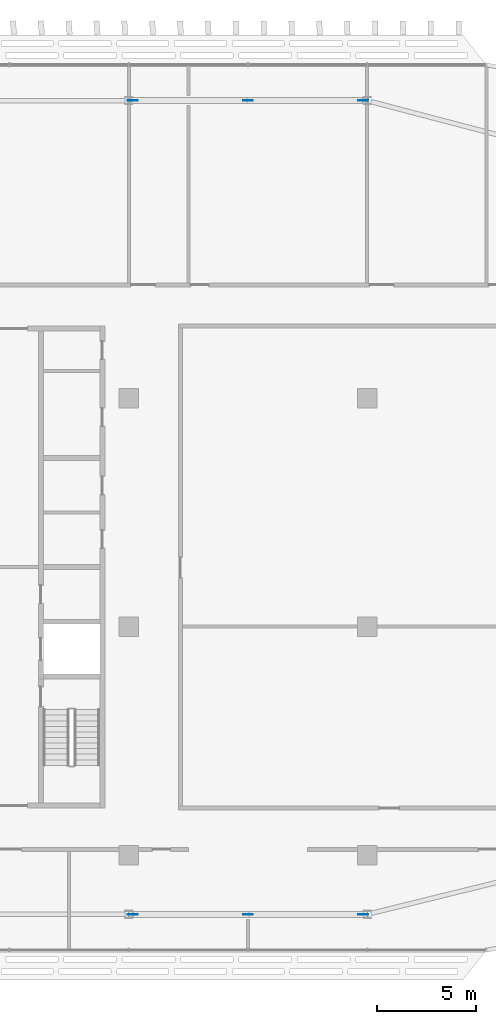
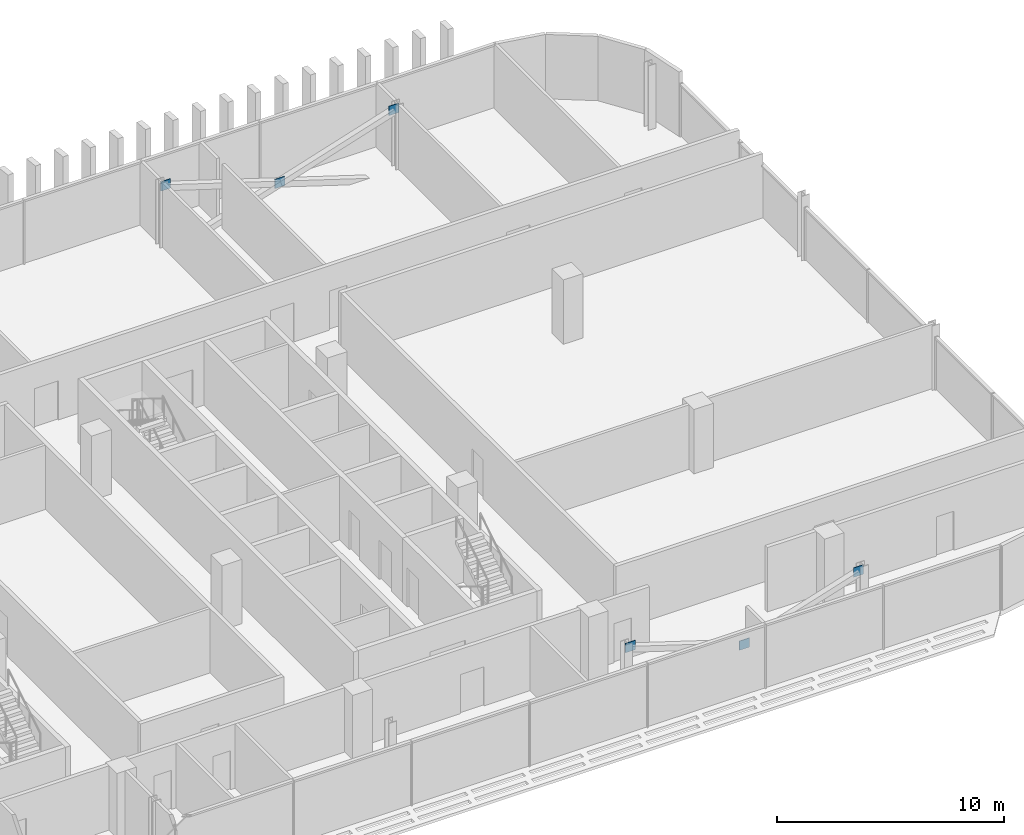
# One storey, part 25 of 32: 6 discrete accessories.
"""IFC4 building model written with IfcOpenShell, lengths in metres."""

from ifc_helpers import new_model, si_unit, direction, frame, origin, origin_2d, place, context, subcontext, project, spatial, rectangle, extrude, material, layer, layer_set, type_object, element, save


model = new_model("IFC4")

# Units and contexts
model_context = context("Model", 3, precision=1e-05, world=origin(), true_north=direction((0.0, 1.0)))
body_context = subcontext(model_context, "Body", "Model", "MODEL_VIEW")
ifc_project = project(units=[si_unit("LENGTHUNIT", "METRE"), si_unit("AREAUNIT", "SQUARE_METRE"), si_unit("VOLUMEUNIT", "CUBIC_METRE"), si_unit("PLANEANGLEUNIT", "RADIAN"), si_unit("MASSUNIT", "GRAM", prefix="KILO")], contexts=[model_context])

# Site, building, storey
site_placement = place(None, origin())
site = spatial("IfcSite", under=ifc_project, at=site_placement, CompositionType="ELEMENT")
building_placement = place(site_placement, origin())
building = spatial("IfcBuilding", under=site, at=building_placement, Name="Mahtab Terrace Research Tower", CompositionType="ELEMENT")
storey_placement = place(building_placement, frame((0.0, 0.0, 236.199951171875)))
storey = spatial("IfcBuildingStorey", under=building, at=storey_placement, Name="L57", CompositionType="ELEMENT", Elevation=236.199951171875)

# Discrete accessories
ifc_material = material(Name="Steel ASTM A992 Gr 50", Category="steel")
ifc_layer = layer(ifc_material, 0.030029296875)
ifc_layer_set = layer_set([ifc_layer], Name="Gusset plate 500x500x30")
discrete_accessory_type = type_object("IfcDiscreteAccessoryType", Name="Gusset plate 500x500x30", PredefinedType="USERDEFINED", material=ifc_layer_set)
for number, where, z_axis, x_axis, name in (
    (1, (30.199462890625, -14.472900390625, 2.906494140625), (0.0, 0.0, 1.0), (1.0, 0.0, 0.0), "Gusset plate"),
    (2, (30.199462890625, 26.472900390625, 2.906494140625), (0.0, 0.0, 1.0), (1.0, 0.0, 0.0), "Gusset plate"),
    (3, (36.0, -14.472900390625, 1.00634765625), (0.0, 0.0, 1.0), (1.0, 0.0, 0.0), "Gusset plate"),
    (4, (36.0, 26.472900390625, 1.00634765625), (0.0, 0.0, 1.0), (1.0, 0.0, 0.0), "Gusset plate"),
    (5, (41.800537109375, -14.472900390625, 2.906494140625), (0.0, 0.0, 1.0), (1.0, 0.0, 0.0), "Gusset plate"),
    (6, (41.800537109375, 26.472900390625, 2.906494140625), (0.0, 0.0, 1.0), (1.0, 0.0, 0.0), "Gusset plate"),
):
    element("IfcDiscreteAccessory", number, at=place(storey_placement, frame(where, z_axis=z_axis, x_axis=x_axis)), inside=storey, type_object=discrete_accessory_type, Name=name, ObjectType="GUSSET PLATE", PredefinedType="USERDEFINED", context=body_context, shape_type="SweptSolid", body=[
        extrude(rectangle(XDim=0.5, YDim=0.030029296875, at=origin_2d()), origin(), (0.0, 0.0, 1.0), 0.5),
    ])

save(model, "model.ifc")
